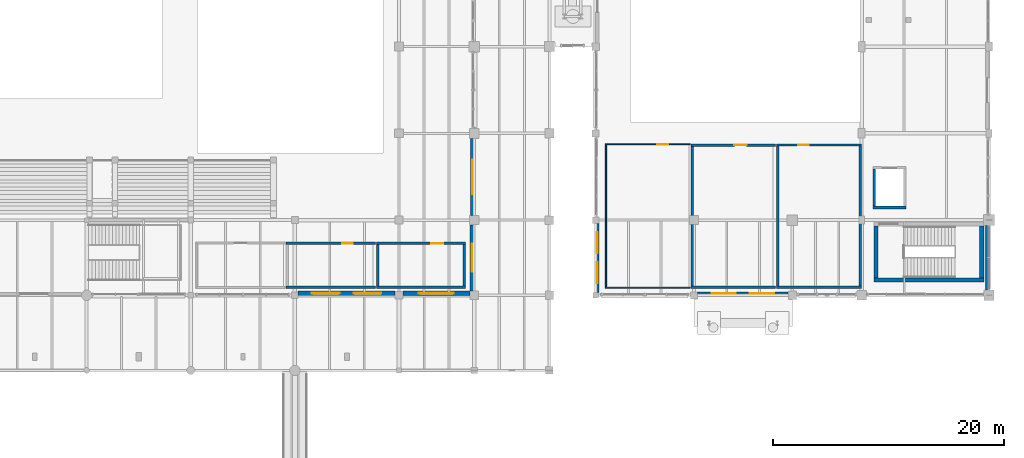
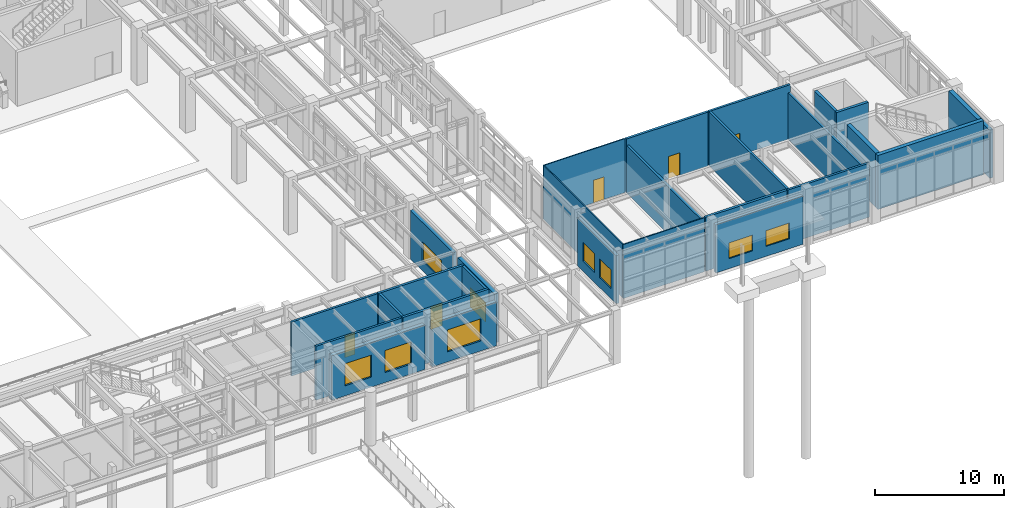
# One storey, part 179 of 203: 28 walls, 9 windows, 5 doors, 14 openings.
"""IFC4 building model written with IfcOpenShell, lengths in metres."""

from ifc_helpers import new_model, si_unit, direction, frame, frame_2d, origin, place, context, subcontext, project, spatial, rectangle, extrude, material, layer, layer_set, type_object, element, fill, save


model = new_model("IFC4")

# Units and contexts
model_context = context("Model", 3, precision=1e-05, world=origin(), true_north=direction((0.0, 1.0)))
body_context = subcontext(model_context, "Body", "Model", "MODEL_VIEW")
ifc_project = project(units=[si_unit("LENGTHUNIT", "METRE"), si_unit("AREAUNIT", "SQUARE_METRE"), si_unit("VOLUMEUNIT", "CUBIC_METRE"), si_unit("PLANEANGLEUNIT", "RADIAN"), si_unit("MASSUNIT", "GRAM", prefix="KILO"), si_unit("THERMODYNAMICTEMPERATUREUNIT", "KELVIN"), si_unit("POWERUNIT", "WATT")], contexts=[model_context])

# Site, building, storey
site_placement = place(None, origin())
site = spatial("IfcSite", under=ifc_project, at=site_placement, CompositionType="ELEMENT")
building_placement = place(site_placement, origin())
building = spatial("IfcBuilding", under=site, at=building_placement, Name="Tepalcoro Natatorium and Aquatics Centre", CompositionType="ELEMENT")
storey_placement = place(building_placement, origin())
storey = spatial("IfcBuildingStorey", under=building, at=storey_placement, Name="L00", CompositionType="ELEMENT", Elevation=0.0)

# Wall, openings, windows
ifc_material_1 = material(Name="Precast Concrete C45/55 (fc 45 MPa)", Category="concrete")
ifc_layer_1 = layer(ifc_material_1, 0.284912109375)
ifc_layer_set_1 = layer_set([ifc_layer_1], Name="Precast Concrete C45/55 (fc 45 MPa)")
wall_type_1 = type_object("IfcWallType", Name="WL_EXT_INSUL_280", PredefinedType="SOLIDWALL", material=ifc_layer_set_1)
wall_1_placement = place(storey_placement, frame((150.803955078125, 6.642578125, 0.0), z_axis=(0.0, 0.0, 1.0), x_axis=(1.0, 0.0, 0.0)))
wall_1 = element("IfcWall", 1, at=wall_1_placement, inside=storey, type_object=wall_type_1, Name="V2 L00 S Volcanic Basalt Envelope Wall", PredefinedType="SOLIDWALL", context=body_context, shape_type="SweptSolid", body=[
    extrude(rectangle(XDim=7.842041015625, YDim=0.284912109375, at=frame_2d((3.9208984375, 0.0))), origin(), (0.0, 0.0, 1.0), 4.573974609375),
])
opening_1_placement = place(wall_1_placement, frame((1.214111328125, 0.0, 0.949951171875)))
opening_1 = element("IfcOpeningElement", 2, at=opening_1_placement, cuts=wall_1, Name="Opening W0021A", PredefinedType="OPENING", context=body_context, shape_type="SweptSolid", body=[
    extrude(rectangle(XDim=2.10009765625, YDim=1.5, at=frame_2d((1.050048828125, 0.75))), frame((0.0, 0.154296875, 0.0), z_axis=(0.0, -1.0, 0.0), x_axis=(1.0, 0.0, 0.0)), (0.0, 0.0, 1.0), 0.308837890625),
])
opening_2_placement = place(wall_1_placement, frame((4.528076171875, 0.0, 0.949951171875)))
opening_2 = element("IfcOpeningElement", 3, at=opening_2_placement, cuts=wall_1, Name="Opening W0021B", PredefinedType="OPENING", context=body_context, shape_type="SweptSolid", body=[
    extrude(rectangle(XDim=2.10009765625, YDim=1.5, at=frame_2d((1.050048828125, 0.75))), frame((0.0, 0.154296875, 0.0), z_axis=(0.0, -1.0, 0.0), x_axis=(1.0, 0.0, 0.0)), (0.0, 0.0, 1.0), 0.308837890625),
])
ifc_material_2 = material(Name="Solar-Control Bronze Tempered Low-E Double Glazing", Category="glass")
window_type_1 = type_object("IfcWindowType", Name="WN_210x150", PartitioningType="SINGLE_PANEL", PredefinedType="WINDOW", material=ifc_material_2)
window_1_placement = place(opening_1_placement, origin())
window_1 = element("IfcWindow", 4, at=window_1_placement, inside=storey, type_object=window_type_1, Name="Exterior Thermal Window WN_210x150", OverallHeight=1.5, OverallWidth=2.10009765625, PartitioningType="SINGLE_PANEL", PredefinedType="WINDOW", context=body_context, shape_type="SweptSolid", body=[
    extrude(rectangle(XDim=2.10009765625, YDim=1.5, at=frame_2d((1.050048828125, 0.75))), frame((0.0, 0.030029296875, 0.0), z_axis=(0.0, -1.0, 0.0), x_axis=(1.0, 0.0, 0.0)), (0.0, 0.0, 1.0), 0.06005859375),
])
fill(opening_1, window_1)
window_2_placement = place(opening_2_placement, origin())
window_2 = element("IfcWindow", 5, at=window_2_placement, inside=storey, type_object=window_type_1, Name="Exterior Thermal Window WN_210x150", OverallHeight=1.5, OverallWidth=2.10009765625, PartitioningType="SINGLE_PANEL", PredefinedType="WINDOW", context=body_context, shape_type="SweptSolid", body=[
    extrude(rectangle(XDim=2.10009765625, YDim=1.5, at=frame_2d((1.050048828125, 0.75))), frame((0.0, 0.030029296875, 0.0), z_axis=(0.0, -1.0, 0.0), x_axis=(1.0, 0.0, 0.0)), (0.0, 0.0, 1.0), 0.06005859375),
])
fill(opening_2, window_2)

wall_2_placement = place(storey_placement, frame((142.142578125, 6.75390625, 0.0), z_axis=(0.0, 0.0, 1.0), x_axis=(0.0, 1.0, 0.0)))
wall_2 = element("IfcWall", 6, at=wall_2_placement, inside=storey, type_object=wall_type_1, Name="V2 L00 W Volcanic Basalt Envelope Wall", PredefinedType="SOLIDWALL", context=body_context, shape_type="SweptSolid", body=[
    extrude(rectangle(XDim=5.967041015625, YDim=0.284912109375, at=frame_2d((2.9833984375, 0.0))), origin(), (0.0, 0.0, 1.0), 4.573974609375),
])
opening_3_placement = place(wall_2_placement, frame((0.7890625, 0.0, 0.949951171875)))
opening_3 = element("IfcOpeningElement", 7, at=opening_3_placement, cuts=wall_2, Name="Opening W0024A", PredefinedType="OPENING", context=body_context, shape_type="SweptSolid", body=[
    extrude(rectangle(XDim=1.800048828125, YDim=1.800048828125, at=frame_2d((0.89990234375, 0.89990234375))), frame((0.0, 0.154296875, 0.0), z_axis=(0.0, -1.0, 0.0), x_axis=(1.0, 0.0, 0.0)), (0.0, 0.0, 1.0), 0.308837890625),
])
opening_4_placement = place(wall_2_placement, frame((3.3779296875, 0.0, 0.949951171875)))
opening_4 = element("IfcOpeningElement", 8, at=opening_4_placement, cuts=wall_2, Name="Opening W0024B", PredefinedType="OPENING", context=body_context, shape_type="SweptSolid", body=[
    extrude(rectangle(XDim=1.800048828125, YDim=1.800048828125, at=frame_2d((0.89990234375, 0.89990234375))), frame((0.0, 0.154296875, 0.0), z_axis=(0.0, -1.0, 0.0), x_axis=(1.0, 0.0, 0.0)), (0.0, 0.0, 1.0), 0.308837890625),
])
window_type_2 = type_object("IfcWindowType", Name="WN_180x180", PartitioningType="SINGLE_PANEL", PredefinedType="WINDOW", material=ifc_material_2)
window_3_placement = place(opening_3_placement, origin())
window_3 = element("IfcWindow", 9, at=window_3_placement, inside=storey, type_object=window_type_2, Name="Exterior Thermal Window WN_180x180", OverallHeight=1.800048828125, OverallWidth=1.800048828125, PartitioningType="SINGLE_PANEL", PredefinedType="WINDOW", context=body_context, shape_type="SweptSolid", body=[
    extrude(rectangle(XDim=1.800048828125, YDim=1.800048828125, at=frame_2d((0.89990234375, 0.89990234375))), frame((0.0, 0.030029296875, 0.0), z_axis=(0.0, -1.0, 0.0), x_axis=(1.0, 0.0, 0.0)), (0.0, 0.0, 1.0), 0.06005859375),
])
fill(opening_3, window_3)
window_4_placement = place(opening_4_placement, origin())
window_4 = element("IfcWindow", 10, at=window_4_placement, inside=storey, type_object=window_type_2, Name="Exterior Thermal Window WN_180x180", OverallHeight=1.800048828125, OverallWidth=1.800048828125, PartitioningType="SINGLE_PANEL", PredefinedType="WINDOW", context=body_context, shape_type="SweptSolid", body=[
    extrude(rectangle(XDim=1.800048828125, YDim=1.800048828125, at=frame_2d((0.89990234375, 0.89990234375))), frame((0.0, 0.030029296875, 0.0), z_axis=(0.0, -1.0, 0.0), x_axis=(1.0, 0.0, 0.0)), (0.0, 0.0, 1.0), 0.06005859375),
])
fill(opening_4, window_4)

ifc_material_3 = material(Name="Volcanic Recinto Basalt Ashlar Masonry", Category="masonry")
ifc_layer_2 = layer(ifc_material_3, 0.360107421875)
ifc_layer_set_2 = layer_set([ifc_layer_2], Name="Volcanic Recinto Basalt Ashlar Masonry")
wall_type_2 = type_object("IfcWallType", Name="WL_EXT_STONE_350", PredefinedType="SOLIDWALL", material=ifc_layer_set_2)
wall_3_placement = place(storey_placement, frame((116.279052734375, 6.679931640625, 0.0), z_axis=(0.0, 0.0, 1.0), x_axis=(1.0, 0.0, 0.0)))
wall_3 = element("IfcWall", 11, at=wall_3_placement, inside=storey, type_object=wall_type_2, Name="V1 L00 S Volcanic Basalt Envelope Wall", PredefinedType="SOLIDWALL", context=body_context, shape_type="SweptSolid", body=[
    extrude(rectangle(XDim=8.391845703125, YDim=0.360107421875, at=frame_2d((4.19580078125, 0.0))), origin(), (0.0, 0.0, 1.0), 4.22412109375),
])
opening_5_placement = place(wall_3_placement, frame((1.197265625, 0.0, 0.949951171875)))
opening_5 = element("IfcOpeningElement", 12, at=opening_5_placement, cuts=wall_3, Name="Opening W0002A", PredefinedType="OPENING", context=body_context, shape_type="SweptSolid", body=[
    extrude(rectangle(XDim=2.39990234375, YDim=2.10009765625, at=frame_2d((1.199951171875, 1.050048828125))), frame((0.0, 0.19189453125, 0.0), z_axis=(0.0, -1.0, 0.0), x_axis=(1.0, 0.0, 0.0)), (0.0, 0.0, 1.0), 0.384033203125),
])
opening_6_placement = place(wall_3_placement, frame((4.794677734375, 0.0, 0.949951171875)))
opening_6 = element("IfcOpeningElement", 13, at=opening_6_placement, cuts=wall_3, Name="Opening W0002B", PredefinedType="OPENING", context=body_context, shape_type="SweptSolid", body=[
    extrude(rectangle(XDim=2.39990234375, YDim=2.10009765625, at=frame_2d((1.199951171875, 1.050048828125))), frame((0.0, 0.19189453125, 0.0), z_axis=(0.0, -1.0, 0.0), x_axis=(1.0, 0.0, 0.0)), (0.0, 0.0, 1.0), 0.384033203125),
])
window_type_3 = type_object("IfcWindowType", Name="WN_240x210", PartitioningType="SINGLE_PANEL", PredefinedType="WINDOW", material=ifc_material_2)
window_5_placement = place(opening_5_placement, origin())
window_5 = element("IfcWindow", 14, at=window_5_placement, inside=storey, type_object=window_type_3, Name="Exterior Thermal Window WN_240x210", OverallHeight=2.10009765625, OverallWidth=2.39990234375, PartitioningType="SINGLE_PANEL", PredefinedType="WINDOW", context=body_context, shape_type="SweptSolid", body=[
    extrude(rectangle(XDim=2.39990234375, YDim=2.10009765625, at=frame_2d((1.199951171875, 1.050048828125))), frame((0.0, 0.030029296875, 0.0), z_axis=(0.0, -1.0, 0.0), x_axis=(1.0, 0.0, 0.0)), (0.0, 0.0, 1.0), 0.06005859375),
])
fill(opening_5, window_5)
window_6_placement = place(opening_6_placement, origin())
window_6 = element("IfcWindow", 15, at=window_6_placement, inside=storey, type_object=window_type_3, Name="Exterior Thermal Window WN_240x210", OverallHeight=2.10009765625, OverallWidth=2.39990234375, PartitioningType="SINGLE_PANEL", PredefinedType="WINDOW", context=body_context, shape_type="SweptSolid", body=[
    extrude(rectangle(XDim=2.39990234375, YDim=2.10009765625, at=frame_2d((1.199951171875, 1.050048828125))), frame((0.0, 0.030029296875, 0.0), z_axis=(0.0, -1.0, 0.0), x_axis=(1.0, 0.0, 0.0)), (0.0, 0.0, 1.0), 0.06005859375),
])
fill(opening_6, window_6)

# Wall, opening, window
wall_4_placement = place(storey_placement, frame((125.3291015625, 6.679931640625, 0.0), z_axis=(0.0, 0.0, 1.0), x_axis=(1.0, 0.0, 0.0)))
wall_4 = element("IfcWall", 16, at=wall_4_placement, inside=storey, type_object=wall_type_2, Name="V1 L00 S Volcanic Basalt Envelope Wall", PredefinedType="SOLIDWALL", context=body_context, shape_type="SweptSolid", body=[
    extrude(rectangle(XDim=5.7919921875, YDim=0.360107421875, at=frame_2d((2.89599609375, 0.0))), origin(), (0.0, 0.0, 1.0), 4.137939453125),
])
opening_7_placement = place(wall_4_placement, frame((1.39599609375, 0.0, 0.949951171875)))
opening_7 = element("IfcOpeningElement", 17, at=opening_7_placement, cuts=wall_4, Name="Opening W0003", PredefinedType="OPENING", context=body_context, shape_type="SweptSolid", body=[
    extrude(rectangle(XDim=3.0, YDim=2.10009765625, at=frame_2d((1.5, 1.050048828125))), frame((0.0, 0.19189453125, 0.0), z_axis=(0.0, -1.0, 0.0), x_axis=(1.0, 0.0, 0.0)), (0.0, 0.0, 1.0), 0.384033203125),
])
window_type_4 = type_object("IfcWindowType", Name="WN_300x210", PartitioningType="SINGLE_PANEL", PredefinedType="WINDOW", material=ifc_material_2)
window_7_placement = place(opening_7_placement, origin())
window_7 = element("IfcWindow", 18, at=window_7_placement, inside=storey, type_object=window_type_4, Name="Exterior Thermal Window WN_300x210", OverallHeight=2.10009765625, OverallWidth=3.0, PartitioningType="SINGLE_PANEL", PredefinedType="WINDOW", context=body_context, shape_type="SweptSolid", body=[
    extrude(rectangle(XDim=3.0, YDim=2.10009765625, at=frame_2d((1.5, 1.050048828125))), frame((0.0, 0.030029296875, 0.0), z_axis=(0.0, -1.0, 0.0), x_axis=(1.0, 0.0, 0.0)), (0.0, 0.0, 1.0), 0.06005859375),
])
fill(opening_7, window_7)

wall_5_placement = place(storey_placement, frame((131.320068359375, 6.87890625, 0.0), z_axis=(0.0, 0.0, 1.0), x_axis=(0.0, 1.0, 0.0)))
wall_5 = element("IfcWall", 19, at=wall_5_placement, inside=storey, type_object=wall_type_2, Name="V1 L00 E Volcanic Basalt Envelope Wall", PredefinedType="SOLIDWALL", context=body_context, shape_type="SweptSolid", body=[
    extrude(rectangle(XDim=5.717041015625, YDim=0.360107421875, at=frame_2d((2.8583984375, 0.0))), origin(), (0.0, 0.0, 1.0), 4.6640625),
])
opening_8_placement = place(wall_5_placement, frame((1.658447265625, 0.0, 0.949951171875)))
opening_8 = element("IfcOpeningElement", 20, at=opening_8_placement, cuts=wall_5, Name="Opening W0010", PredefinedType="OPENING", context=body_context, shape_type="SweptSolid", body=[
    extrude(rectangle(XDim=2.39990234375, YDim=1.800048828125, at=frame_2d((1.199951171875, 0.89990234375))), frame((0.0, 0.19189453125, 0.0), z_axis=(0.0, -1.0, 0.0), x_axis=(1.0, 0.0, 0.0)), (0.0, 0.0, 1.0), 0.384033203125),
])
window_type_5 = type_object("IfcWindowType", Name="WN_240x180", PartitioningType="SINGLE_PANEL", PredefinedType="WINDOW", material=ifc_material_2)
window_8_placement = place(opening_8_placement, origin())
window_8 = element("IfcWindow", 21, at=window_8_placement, inside=storey, type_object=window_type_5, Name="Exterior Thermal Window WN_240x180", OverallHeight=1.800048828125, OverallWidth=2.39990234375, PartitioningType="SINGLE_PANEL", PredefinedType="WINDOW", context=body_context, shape_type="SweptSolid", body=[
    extrude(rectangle(XDim=2.39990234375, YDim=1.800048828125, at=frame_2d((1.199951171875, 0.89990234375))), frame((0.0, 0.030029296875, 0.0), z_axis=(0.0, -1.0, 0.0), x_axis=(1.0, 0.0, 0.0)), (0.0, 0.0, 1.0), 0.06005859375),
])
fill(opening_8, window_8)

ifc_material_4 = material(Name="Jalisco Cantera Rosa Volcanic Tuff Ashlar Masonry", Category="masonry")
ifc_layer_3 = layer(ifc_material_4, 0.304931640625)
ifc_layer_set_3 = layer_set([ifc_layer_3], Name="Jalisco Cantera Rosa Volcanic Tuff Ashlar Masonry")
wall_type_3 = type_object("IfcWallType", Name="WL_EXT_TERRACOTTA_300", PredefinedType="SOLIDWALL", material=ifc_layer_set_3)
wall_6_placement = place(storey_placement, frame((131.347412109375, 13.404052734375, 0.0), z_axis=(0.0, 0.0, 1.0), x_axis=(0.0, 1.0, 0.0)))
wall_6 = element("IfcWall", 22, at=wall_6_placement, inside=storey, type_object=wall_type_3, Name="V1 L00 E Volcanic Basalt Envelope Wall", PredefinedType="SOLIDWALL", context=body_context, shape_type="SweptSolid", body=[
    extrude(rectangle(XDim=6.6669921875, YDim=0.304931640625, at=frame_2d((3.33349609375, 0.0))), origin(), (0.0, 0.0, 1.0), 4.60302734375),
])
opening_9_placement = place(wall_6_placement, frame((1.83349609375, 0.0, 0.949951171875)))
opening_9 = element("IfcOpeningElement", 23, at=opening_9_placement, cuts=wall_6, Name="Opening W0011", PredefinedType="OPENING", context=body_context, shape_type="SweptSolid", body=[
    extrude(rectangle(XDim=3.0, YDim=1.800048828125, at=frame_2d((1.5, 0.89990234375))), frame((0.0, 0.16455078125, 0.0), z_axis=(0.0, -1.0, 0.0), x_axis=(1.0, 0.0, 0.0)), (0.0, 0.0, 1.0), 0.328857421875),
])
window_type_6 = type_object("IfcWindowType", Name="WN_300x180", PartitioningType="SINGLE_PANEL", PredefinedType="WINDOW", material=ifc_material_2)
window_9_placement = place(opening_9_placement, origin())
window_9 = element("IfcWindow", 24, at=window_9_placement, inside=storey, type_object=window_type_6, Name="Exterior Thermal Window WN_300x180", OverallHeight=1.800048828125, OverallWidth=3.0, PartitioningType="SINGLE_PANEL", PredefinedType="WINDOW", context=body_context, shape_type="SweptSolid", body=[
    extrude(rectangle(XDim=3.0, YDim=1.800048828125, at=frame_2d((1.5, 0.89990234375))), frame((0.0, 0.030029296875, 0.0), z_axis=(0.0, -1.0, 0.0), x_axis=(1.0, 0.0, 0.0)), (0.0, 0.0, 1.0), 0.06005859375),
])
fill(opening_9, window_9)

# Walls
wall_7_placement = place(storey_placement, frame((175.847412109375, 6.9541015625, 0.0), z_axis=(0.0, 0.0, 1.0), x_axis=(0.0, 1.0, 0.0)))
element("IfcWall", 25, at=wall_7_placement, inside=storey, type_object=wall_type_3, Name="V2 L00 E Volcanic Basalt Envelope Wall", PredefinedType="SOLIDWALL", context=body_context, shape_type="SweptSolid", body=[
    extrude(rectangle(XDim=5.56689453125, YDim=0.304931640625, at=frame_2d((2.783447265625, 0.0))), origin(), (0.0, 0.0, 1.0), 4.573974609375),
])
ifc_material_5 = material(Name="Moisture-Resistant Acoustic Gypsum Drywall on Cold-Formed Metal Studs")
ifc_layer_4 = layer(ifc_material_5, 0.10009765625)
ifc_layer_set_4 = layer_set([ifc_layer_4], Name="Moisture-Resistant Acoustic Gypsum Drywall on Cold-Formed Metal Studs")
wall_type_4 = type_object("IfcWallType", Name="WL_PART_100", PredefinedType="PARTITIONING", material=ifc_layer_set_4)
wall_8_placement = place(storey_placement, frame((142.840087890625, 7.14990234375, 0.0), z_axis=(0.0, 0.0, 1.0), x_axis=(1.0, 0.0, 0.0)))
element("IfcWall", 26, at=wall_8_placement, inside=storey, type_object=wall_type_4, Name="Divers Dryland Warm-Up & Trampoline Spotting Gym Partition S", PredefinedType="PARTITIONING", context=body_context, shape_type="SweptSolid", body=[
    extrude(rectangle(XDim=7.31982421875, YDim=0.10009765625, at=frame_2d((3.659912109375, 0.0))), origin(), (0.0, 0.0, 1.0), 5.125),
])

# Wall, opening, door
wall_9_placement = place(storey_placement, frame((142.840087890625, 19.550048828125, 0.0), z_axis=(0.0, 0.0, 1.0), x_axis=(1.0, 0.0, 0.0)))
wall_9 = element("IfcWall", 27, at=wall_9_placement, inside=storey, type_object=wall_type_4, Name="Divers Dryland Warm-Up & Trampoline Spotting Gym Partition N", PredefinedType="PARTITIONING", context=body_context, shape_type="SweptSolid", body=[
    extrude(rectangle(XDim=7.31982421875, YDim=0.10009765625, at=frame_2d((3.659912109375, 0.0))), origin(), (0.0, 0.0, 1.0), 5.125),
])
opening_10_placement = place(wall_9_placement, frame((4.50244140625, 0.0, 0.0)))
opening_10 = element("IfcOpeningElement", 28, at=opening_10_placement, cuts=wall_9, Name="Opening D0085", PredefinedType="OPENING", context=body_context, shape_type="SweptSolid", body=[
    extrude(rectangle(XDim=0.949951171875, YDim=2.14990234375, at=frame_2d((0.47509765625, 1.074951171875))), frame((0.0, 0.06201171875, 0.0), z_axis=(0.0, -1.0, 0.0), x_axis=(1.0, 0.0, 0.0)), (0.0, 0.0, 1.0), 0.1240234375),
])
ifc_material_6 = material(Name="Solid-Core Moisture-Sealed Oak Timber Leaf in Aluminium Frame", Category="wood")
door_type_1 = type_object("IfcDoorType", Name="DR_095x215_OFFICE", OperationType="NOTDEFINED", PredefinedType="DOOR", material=ifc_material_6)
door_1_placement = place(opening_10_placement, frame((0.949951171875, 0.0, 0.0), z_axis=(0.0, 0.0, 1.0), x_axis=(-1.0, 0.0, 0.0)))
door_1 = element("IfcDoor", 29, at=door_1_placement, inside=storey, type_object=door_type_1, Name="Divers Dryland Warm-Up & Trampoline Spotting Gym Door", OperationType="SINGLE_SWING_LEFT", OverallHeight=2.14990234375, OverallWidth=0.949951171875, PredefinedType="DOOR", context=body_context, shape_type="SweptSolid", body=[
    extrude(rectangle(XDim=0.949951171875, YDim=2.14990234375, at=frame_2d((0.47509765625, 1.074951171875))), frame((0.0, 0.02490234375, 0.0), z_axis=(0.0, -1.0, 0.0), x_axis=(1.0, 0.0, 0.0)), (0.0, 0.0, 1.0), 0.050048828125),
])
fill(opening_10, door_1)

# Walls
wall_10_placement = place(storey_placement, frame((142.889892578125, 7.199951171875, 0.0), z_axis=(0.0, 0.0, 1.0), x_axis=(0.0, 1.0, 0.0)))
element("IfcWall", 30, at=wall_10_placement, inside=storey, type_object=wall_type_4, Name="Divers Dryland Warm-Up & Trampoline Spotting Gym Partition W", PredefinedType="PARTITIONING", context=body_context, shape_type="SweptSolid", body=[
    extrude(rectangle(XDim=12.300048828125, YDim=0.10009765625, at=frame_2d((6.14990234375, 0.0))), origin(), (0.0, 0.0, 1.0), 5.125),
])
ifc_material_7 = material(Name="Ceramic-Tiled Moisture-Resistant Masonry Blockwork", Category="masonry")
ifc_layer_5 = layer(ifc_material_7, 0.199951171875)
ifc_layer_set_5 = layer_set([ifc_layer_5], Name="Ceramic-Tiled Moisture-Resistant Masonry Blockwork")
wall_type_5 = type_object("IfcWallType", Name="WL_PLUMB_200", PredefinedType="PLUMBINGWALL", material=ifc_layer_set_5)
wall_11_placement = place(storey_placement, frame((115.239990234375, 7.199951171875, 0.0), z_axis=(0.0, 0.0, 1.0), x_axis=(1.0, 0.0, 0.0)))
element("IfcWall", 31, at=wall_11_placement, inside=storey, type_object=wall_type_5, Name="Poolside Athlete Male & Female WC Partition S", PredefinedType="PLUMBINGWALL", context=body_context, shape_type="SweptSolid", body=[
    extrude(rectangle(XDim=7.719970703125, YDim=0.199951171875, at=frame_2d((3.85986328125, 0.0))), origin(), (0.0, 0.0, 1.0), 5.125),
])

# Wall, opening, door
wall_12_placement = place(storey_placement, frame((115.239990234375, 11.0, 0.0), z_axis=(0.0, 0.0, 1.0), x_axis=(1.0, 0.0, 0.0)))
wall_12 = element("IfcWall", 32, at=wall_12_placement, inside=storey, type_object=wall_type_5, Name="Poolside Athlete Male & Female WC Partition N", PredefinedType="PLUMBINGWALL", context=body_context, shape_type="SweptSolid", body=[
    extrude(rectangle(XDim=7.719970703125, YDim=0.199951171875, at=frame_2d((3.85986328125, 0.0))), origin(), (0.0, 0.0, 1.0), 5.125),
])
opening_11_placement = place(wall_12_placement, frame((4.840087890625, 0.0, 0.0)))
opening_11 = element("IfcOpeningElement", 33, at=opening_11_placement, cuts=wall_12, Name="Opening D0077", PredefinedType="OPENING", context=body_context, shape_type="SweptSolid", body=[
    extrude(rectangle(XDim=0.89990234375, YDim=2.10009765625, at=frame_2d((0.449951171875, 1.050048828125))), frame((0.0, 0.11181640625, 0.0), z_axis=(0.0, -1.0, 0.0), x_axis=(1.0, 0.0, 0.0)), (0.0, 0.0, 1.0), 0.223876953125),
])
door_type_2 = type_object("IfcDoorType", Name="DR_095x215_WC", OperationType="NOTDEFINED", PredefinedType="DOOR", material=ifc_material_6)
door_2_placement = place(opening_11_placement, frame((0.89990234375, 0.0, 0.0), z_axis=(0.0, 0.0, 1.0), x_axis=(-1.0, 0.0, 0.0)))
door_2 = element("IfcDoor", 34, at=door_2_placement, inside=storey, type_object=door_type_2, Name="Poolside Athlete Male & Female WC Door", OperationType="SINGLE_SWING_LEFT", OverallHeight=2.10009765625, OverallWidth=0.89990234375, PredefinedType="DOOR", context=body_context, shape_type="SweptSolid", body=[
    extrude(rectangle(XDim=0.89990234375, YDim=2.10009765625, at=frame_2d((0.449951171875, 1.050048828125))), frame((0.0, 0.02490234375, 0.0), z_axis=(0.0, -1.0, 0.0), x_axis=(1.0, 0.0, 0.0)), (0.0, 0.0, 1.0), 0.050048828125),
])
fill(opening_11, door_2)

# Wall
wall_13_placement = place(storey_placement, frame((157.639892578125, 7.199951171875, 0.0), z_axis=(0.0, 0.0, 1.0), x_axis=(1.0, 0.0, 0.0)))
element("IfcWall", 35, at=wall_13_placement, inside=storey, type_object=wall_type_5, Name="Diving Pavilion Accessible WC & Changing Partition S", PredefinedType="PLUMBINGWALL", context=body_context, shape_type="SweptSolid", body=[
    extrude(rectangle(XDim=7.320068359375, YDim=0.199951171875, at=frame_2d((3.66015625, 0.0))), origin(), (0.0, 0.0, 1.0), 5.125),
])

# Wall, opening, door
wall_14_placement = place(storey_placement, frame((157.639892578125, 19.5, 0.0), z_axis=(0.0, 0.0, 1.0), x_axis=(1.0, 0.0, 0.0)))
wall_14 = element("IfcWall", 36, at=wall_14_placement, inside=storey, type_object=wall_type_5, Name="Diving Pavilion Accessible WC & Changing Partition N", PredefinedType="PLUMBINGWALL", context=body_context, shape_type="SweptSolid", body=[
    extrude(rectangle(XDim=7.320068359375, YDim=0.199951171875, at=frame_2d((3.66015625, 0.0))), origin(), (0.0, 0.0, 1.0), 5.125),
])
opening_12_placement = place(wall_14_placement, frame((1.8798828125, 0.0, 0.0)))
opening_12 = element("IfcOpeningElement", 37, at=opening_12_placement, cuts=wall_14, Name="Opening D0087", PredefinedType="OPENING", context=body_context, shape_type="SweptSolid", body=[
    extrude(rectangle(XDim=0.89990234375, YDim=2.10009765625, at=frame_2d((0.449951171875, 1.050048828125))), frame((0.0, 0.11181640625, 0.0), z_axis=(0.0, -1.0, 0.0), x_axis=(1.0, 0.0, 0.0)), (0.0, 0.0, 1.0), 0.223876953125),
])
door_3_placement = place(opening_12_placement, frame((0.89990234375, 0.0, 0.0), z_axis=(0.0, 0.0, 1.0), x_axis=(-1.0, 0.0, 0.0)))
door_3 = element("IfcDoor", 38, at=door_3_placement, inside=storey, type_object=door_type_2, Name="Diving Pavilion Accessible WC & Changing Door", OperationType="SINGLE_SWING_LEFT", OverallHeight=2.10009765625, OverallWidth=0.89990234375, PredefinedType="DOOR", context=body_context, shape_type="SweptSolid", body=[
    extrude(rectangle(XDim=0.89990234375, YDim=2.10009765625, at=frame_2d((0.449951171875, 1.050048828125))), frame((0.0, 0.02490234375, 0.0), z_axis=(0.0, -1.0, 0.0), x_axis=(1.0, 0.0, 0.0)), (0.0, 0.0, 1.0), 0.050048828125),
])
fill(opening_12, door_3)

# Walls
wall_15_placement = place(storey_placement, frame((164.860107421875, 7.300048828125, 0.0), z_axis=(0.0, 0.0, 1.0), x_axis=(0.0, 1.0, 0.0)))
element("IfcWall", 39, at=wall_15_placement, inside=storey, type_object=wall_type_5, Name="Diving Pavilion Accessible WC & Changing Partition E", PredefinedType="PLUMBINGWALL", context=body_context, shape_type="SweptSolid", body=[
    extrude(rectangle(XDim=12.099853515625, YDim=0.199951171875, at=frame_2d((6.0498046875, 0.0))), origin(), (0.0, 0.0, 1.0), 4.408935546875),
])
wall_16_placement = place(storey_placement, frame((157.739990234375, 7.300048828125, 0.0), z_axis=(0.0, 0.0, 1.0), x_axis=(0.0, 1.0, 0.0)))
element("IfcWall", 40, at=wall_16_placement, inside=storey, type_object=wall_type_5, Name="Diving Pavilion Accessible WC & Changing Partition W", PredefinedType="PLUMBINGWALL", context=body_context, shape_type="SweptSolid", body=[
    extrude(rectangle(XDim=12.099853515625, YDim=0.199951171875, at=frame_2d((6.0498046875, 0.0))), origin(), (0.0, 0.0, 1.0), 5.125),
])
ifc_layer_6 = layer(ifc_material_7, 0.219970703125)
ifc_layer_set_6 = layer_set([ifc_layer_6], Name="Ceramic-Tiled Moisture-Resistant Masonry Blockwork")
wall_type_6 = type_object("IfcWallType", Name="WL_PLUMB_220", PredefinedType="PLUMBINGWALL", material=ifc_layer_set_6)
wall_17_placement = place(storey_placement, frame((123.0400390625, 7.2099609375, 0.0), z_axis=(0.0, 0.0, 1.0), x_axis=(1.0, 0.0, 0.0)))
element("IfcWall", 41, at=wall_17_placement, inside=storey, type_object=wall_type_6, Name="Poolside Accessible WC & Shower Partition S", PredefinedType="PLUMBINGWALL", context=body_context, shape_type="SweptSolid", body=[
    extrude(rectangle(XDim=7.719970703125, YDim=0.219970703125, at=frame_2d((3.85986328125, 0.0))), origin(), (0.0, 0.0, 1.0), 5.125),
])

# Wall, opening, door
wall_18_placement = place(storey_placement, frame((123.0400390625, 10.989990234375, 0.0), z_axis=(0.0, 0.0, 1.0), x_axis=(1.0, 0.0, 0.0)))
wall_18 = element("IfcWall", 42, at=wall_18_placement, inside=storey, type_object=wall_type_6, Name="Poolside Accessible WC & Shower Partition N", PredefinedType="PLUMBINGWALL", context=body_context, shape_type="SweptSolid", body=[
    extrude(rectangle(XDim=7.719970703125, YDim=0.219970703125, at=frame_2d((3.85986328125, 0.0))), origin(), (0.0, 0.0, 1.0), 5.125),
])
opening_13_placement = place(wall_18_placement, frame((4.7275390625, 0.0, 0.0)))
opening_13 = element("IfcOpeningElement", 43, at=opening_13_placement, cuts=wall_18, Name="Opening D0078", PredefinedType="OPENING", context=body_context, shape_type="SweptSolid", body=[
    extrude(rectangle(XDim=1.050048828125, YDim=2.14990234375, at=frame_2d((0.52490234375, 1.074951171875))), frame((0.0, 0.1220703125, 0.0), z_axis=(0.0, -1.0, 0.0), x_axis=(1.0, 0.0, 0.0)), (0.0, 0.0, 1.0), 0.243896484375),
])
door_type_3 = type_object("IfcDoorType", Name="DR_105x215_ACC", OperationType="NOTDEFINED", PredefinedType="DOOR", material=ifc_material_6)
door_4_placement = place(opening_13_placement, frame((1.050048828125, 0.0, 0.0), z_axis=(0.0, 0.0, 1.0), x_axis=(-1.0, 0.0, 0.0)))
door_4 = element("IfcDoor", 44, at=door_4_placement, inside=storey, type_object=door_type_3, Name="Poolside Accessible WC & Shower Door", OperationType="SINGLE_SWING_RIGHT", OverallHeight=2.14990234375, OverallWidth=1.050048828125, PredefinedType="DOOR", context=body_context, shape_type="SweptSolid", body=[
    extrude(rectangle(XDim=1.050048828125, YDim=2.14990234375, at=frame_2d((0.52490234375, 1.074951171875))), frame((0.0, 0.02490234375, 0.0), z_axis=(0.0, -1.0, 0.0), x_axis=(1.0, 0.0, 0.0)), (0.0, 0.0, 1.0), 0.050048828125),
])
fill(opening_13, door_4)

# Walls
for number, where, z_axis, x_axis, name in (
    (45, (130.64990234375, 7.320068359375, 0.0), (0.0, 0.0, 1.0), (0.0, 1.0, 0.0), "Poolside Accessible WC & Shower Partition E"),
    (46, (123.14990234375, 7.320068359375, 0.0), (0.0, 0.0, 1.0), (0.0, 1.0, 0.0), "Poolside Accessible WC & Shower Partition W"),
):
    element("IfcWall", number, at=place(storey_placement, frame(where, z_axis=z_axis, x_axis=x_axis)), inside=storey, type_object=wall_type_6, Name=name, PredefinedType="PLUMBINGWALL", context=body_context, shape_type="SweptSolid", body=[
        extrude(rectangle(XDim=3.559814453125, YDim=0.219970703125, at=frame_2d((1.77978515625, 0.0))), origin(), (0.0, 0.0, 1.0), 5.125),
    ])
wall_19_placement = place(storey_placement, frame((150.239990234375, 7.2099609375, 0.0), z_axis=(0.0, 0.0, 1.0), x_axis=(1.0, 0.0, 0.0)))
element("IfcWall", 47, at=wall_19_placement, inside=storey, type_object=wall_type_6, Name="Divers Hot-Tub & Thermal Muscle Recovery Pool Room Partition S", PredefinedType="PLUMBINGWALL", context=body_context, shape_type="SweptSolid", body=[
    extrude(rectangle(XDim=7.320068359375, YDim=0.219970703125, at=frame_2d((3.66015625, 0.0))), origin(), (0.0, 0.0, 1.0), 5.125),
])

# Wall, opening, door
wall_20_placement = place(storey_placement, frame((150.239990234375, 19.489990234375, 0.0), z_axis=(0.0, 0.0, 1.0), x_axis=(1.0, 0.0, 0.0)))
wall_20 = element("IfcWall", 48, at=wall_20_placement, inside=storey, type_object=wall_type_6, Name="Divers Hot-Tub & Thermal Muscle Recovery Pool Room Partition N", PredefinedType="PLUMBINGWALL", context=body_context, shape_type="SweptSolid", body=[
    extrude(rectangle(XDim=7.320068359375, YDim=0.219970703125, at=frame_2d((3.66015625, 0.0))), origin(), (0.0, 0.0, 1.0), 5.125),
])
opening_14_placement = place(wall_20_placement, frame((3.75537109375, 0.0, 0.0)))
opening_14 = element("IfcOpeningElement", 49, at=opening_14_placement, cuts=wall_20, Name="Opening D0086", PredefinedType="OPENING", context=body_context, shape_type="SweptSolid", body=[
    extrude(rectangle(XDim=1.050048828125, YDim=2.14990234375, at=frame_2d((0.52490234375, 1.074951171875))), frame((0.0, 0.1220703125, 0.0), z_axis=(0.0, -1.0, 0.0), x_axis=(1.0, 0.0, 0.0)), (0.0, 0.0, 1.0), 0.243896484375),
])
door_5_placement = place(opening_14_placement, frame((1.050048828125, 0.0, 0.0), z_axis=(0.0, 0.0, 1.0), x_axis=(-1.0, 0.0, 0.0)))
door_5 = element("IfcDoor", 50, at=door_5_placement, inside=storey, type_object=door_type_3, Name="Divers Hot-Tub & Thermal Muscle Recovery Pool Room Door", OperationType="SINGLE_SWING_RIGHT", OverallHeight=2.14990234375, OverallWidth=1.050048828125, PredefinedType="DOOR", context=body_context, shape_type="SweptSolid", body=[
    extrude(rectangle(XDim=1.050048828125, YDim=2.14990234375, at=frame_2d((0.52490234375, 1.074951171875))), frame((0.0, 0.02490234375, 0.0), z_axis=(0.0, -1.0, 0.0), x_axis=(1.0, 0.0, 0.0)), (0.0, 0.0, 1.0), 0.050048828125),
])
fill(opening_14, door_5)

# Walls
wall_21_placement = place(storey_placement, frame((150.35009765625, 7.320068359375, 0.0), z_axis=(0.0, 0.0, 1.0), x_axis=(0.0, 1.0, 0.0)))
element("IfcWall", 51, at=wall_21_placement, inside=storey, type_object=wall_type_6, Name="Divers Hot-Tub & Thermal Muscle Recovery Pool Room Partition W", PredefinedType="PLUMBINGWALL", context=body_context, shape_type="SweptSolid", body=[
    extrude(rectangle(XDim=12.059814453125, YDim=0.219970703125, at=frame_2d((6.02978515625, 0.0))), origin(), (0.0, 0.0, 1.0), 4.5029296875),
])
ifc_material_8 = material(Name="Concrete C40/50 (fc 40 MPa)", Category="concrete")
ifc_layer_7 = layer(ifc_material_8, 0.239990234375)
ifc_layer_set_7 = layer_set([ifc_layer_7], Name="Concrete C40/50 (fc 40 MPa)")
wall_type_7 = type_object("IfcWallType", Name="WL_SHAFT_240", PredefinedType="SOLIDWALL", material=ifc_layer_set_7)
wall_22_placement = place(storey_placement, frame((165.9599609375, 14.080078125, 0.0), z_axis=(0.0, 0.0, 1.0), x_axis=(1.0, 0.0, 0.0)))
element("IfcWall", 52, at=wall_22_placement, inside=storey, type_object=wall_type_7, Name="LF02 Lift Shaft Wall S L00", PredefinedType="SOLIDWALL", context=body_context, shape_type="SweptSolid", body=[
    extrude(rectangle(XDim=2.880126953125, YDim=0.239990234375, at=frame_2d((1.43994140625, 0.0))), origin(), (0.0, 0.0, 1.0), 5.39990234375),
])
wall_23_placement = place(storey_placement, frame((166.080078125, 14.199951171875, 0.0), z_axis=(0.0, 0.0, 1.0), x_axis=(0.0, 1.0, 0.0)))
element("IfcWall", 53, at=wall_23_placement, inside=storey, type_object=wall_type_7, Name="LF02 Lift Shaft Wall W L00", PredefinedType="SOLIDWALL", context=body_context, shape_type="SweptSolid", body=[
    extrude(rectangle(XDim=3.199951171875, YDim=0.239990234375, at=frame_2d((1.60009765625, 0.0))), origin(), (0.0, 0.0, 1.0), 5.39990234375),
])
ifc_layer_8 = layer(ifc_material_8, 0.35009765625)
ifc_layer_set_8 = layer_set([ifc_layer_8], Name="Concrete C40/50 (fc 40 MPa)")
wall_type_8 = type_object("IfcWallType", Name="WL_SHEAR_350", PredefinedType="SHEAR", material=ifc_layer_set_8)
wall_24_placement = place(storey_placement, frame((166.050048828125, 7.824951171875, 0.0), z_axis=(0.0, 0.0, 1.0), x_axis=(1.0, 0.0, 0.0)))
element("IfcWall", 54, at=wall_24_placement, inside=storey, type_object=wall_type_8, Name="ST03 Core Shear Wall S L00", PredefinedType="SHEAR", context=body_context, shape_type="SweptSolid", body=[
    extrude(rectangle(XDim=9.5, YDim=0.35009765625, at=frame_2d((4.75, 0.0))), origin(), (0.0, 0.0, 1.0), 5.139892578125),
])
for number, where, z_axis, x_axis, name in (
    (55, (166.22509765625, 8.0, 0.0), (0.0, 0.0, 1.0), (0.0, 1.0, 0.0), "ST03 Core Shear Wall W L00"),
    (56, (175.375, 8.0, 0.0), (0.0, 0.0, 1.0), (0.0, 1.0, 0.0), "ST03 Core Shear Wall E L00"),
):
    element("IfcWall", number, at=place(storey_placement, frame(where, z_axis=z_axis, x_axis=x_axis)), inside=storey, type_object=wall_type_8, Name=name, PredefinedType="SHEAR", context=body_context, shape_type="SweptSolid", body=[
        extrude(rectangle(XDim=4.5, YDim=0.35009765625, at=frame_2d((2.25, 0.0))), origin(), (0.0, 0.0, 1.0), 5.139892578125),
    ])

save(model, "model.ifc")
